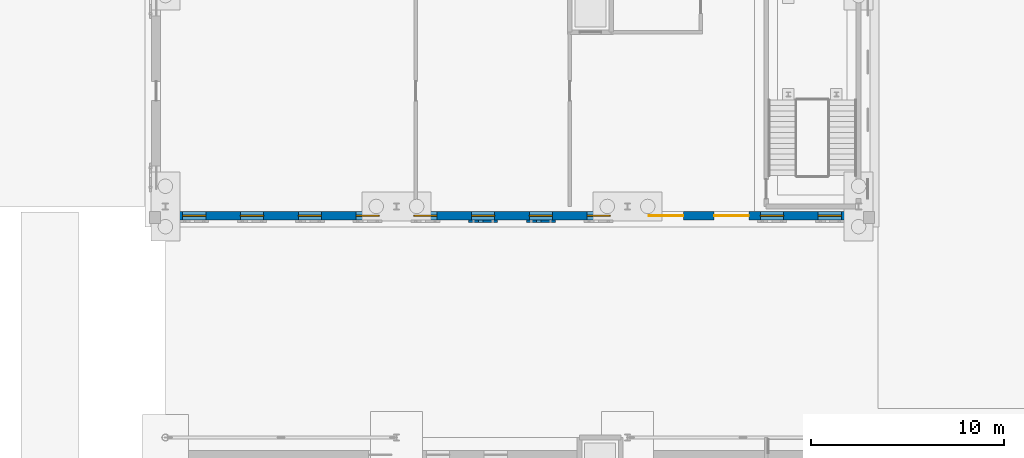
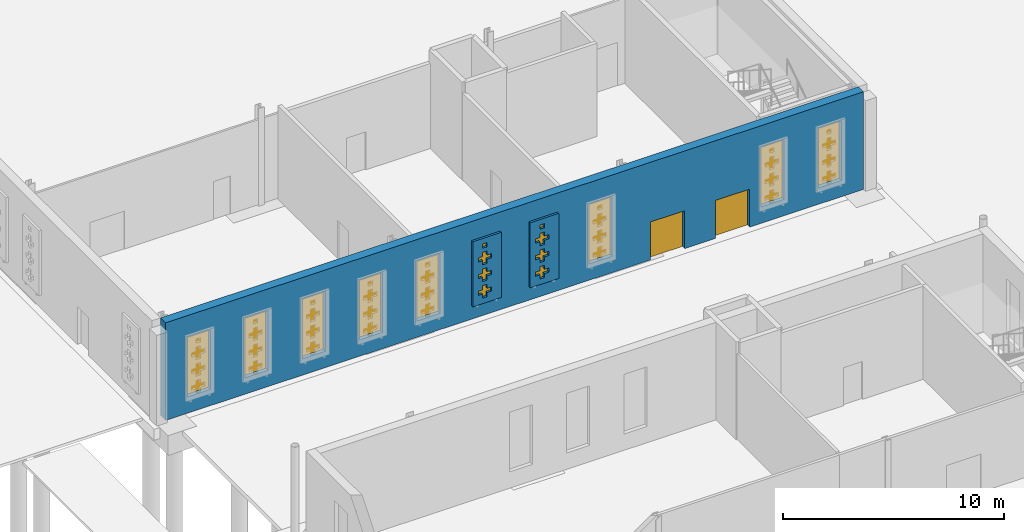
# One storey, part 80 of 132: 10 windows, 3 walls, 2 doors, 44 openings.
"""IFC4 building model written with IfcOpenShell, lengths in metres."""

from ifc_helpers import new_model, si_unit, direction, frame, frame_2d, origin, place, context, subcontext, project, spatial, rectangle, extrude, material, layer, layer_set, type_object, element, fill, save


model = new_model("IFC4")

# Units and contexts
model_context = context("Model", 3, precision=1e-05, world=origin(), true_north=direction((0.0, 1.0)))
body_context = subcontext(model_context, "Body", "Model", "MODEL_VIEW")
ifc_project = project(units=[si_unit("LENGTHUNIT", "METRE"), si_unit("AREAUNIT", "SQUARE_METRE"), si_unit("VOLUMEUNIT", "CUBIC_METRE"), si_unit("PLANEANGLEUNIT", "RADIAN"), si_unit("MASSUNIT", "GRAM", prefix="KILO")], contexts=[model_context])

# Site, building, storey
site_placement = place(None, origin())
site = spatial("IfcSite", under=ifc_project, at=site_placement, CompositionType="ELEMENT")
building_placement = place(site_placement, origin())
building = spatial("IfcBuilding", under=site, at=building_placement, Name="Ravi Spectrum Wholesale Market", CompositionType="ELEMENT")
storey_placement = place(building_placement, origin())
storey = spatial("IfcBuildingStorey", under=building, at=storey_placement, Name="L00", CompositionType="ELEMENT", Elevation=0.0)

# Wall, openings, doors, windows
ifc_material_1 = material(Name="Clinker brickwork", Category="masonry")
ifc_layer_1 = layer(ifc_material_1, 0.4599609375)
ifc_layer_set_1 = layer_set([ifc_layer_1], Name="Clinker brickwork")
wall_type_1 = type_object("IfcWallType", Name="Brick 460 pier wall", PredefinedType="SOLIDWALL", material=ifc_layer_set_1)
wall_1_placement = place(storey_placement, frame((161.75, 197.52001953125, 0.0), z_axis=(0.0, 0.0, 1.0), x_axis=(1.0, 0.0, 0.0)))
wall_1 = element("IfcWall", 1, at=wall_1_placement, inside=storey, type_object=wall_type_1, Name="AU-WL-L00-009", PredefinedType="SOLIDWALL", context=body_context, shape_type="SweptSolid", body=[
    extrude(rectangle(XDim=36.5, YDim=0.4599609375, at=frame_2d((18.25, 0.0))), origin(), (0.0, 0.0, 1.0), 5.39990234375),
])
opening_1_placement = place(wall_1_placement, frame((27.150146484375, 0.0, 0.0), z_axis=(0.0, 0.0, 1.0), x_axis=(-1.0, 0.0, 0.0)))
opening_1 = element("IfcOpeningElement", 2, at=opening_1_placement, cuts=wall_1, Name="Opening D409", PredefinedType="OPENING", context=body_context, shape_type="SweptSolid", body=[
    extrude(rectangle(XDim=1.800048828125, YDim=2.10009765625, at=frame_2d((0.89990234375, 1.050048828125))), frame((0.0, 0.239990234375, 0.0), z_axis=(0.0, -1.0, 0.0), x_axis=(1.0, 0.0, 0.0)), (0.0, 0.0, 1.0), 0.47998046875),
])
opening_2_placement = place(wall_1_placement, frame((30.550048828125, 0.0, 0.0), z_axis=(0.0, 0.0, 1.0), x_axis=(-1.0, 0.0, 0.0)))
opening_2 = element("IfcOpeningElement", 3, at=opening_2_placement, cuts=wall_1, Name="Opening D410", PredefinedType="OPENING", context=body_context, shape_type="SweptSolid", body=[
    extrude(rectangle(XDim=1.800048828125, YDim=2.10009765625, at=frame_2d((0.89990234375, 1.050048828125))), frame((0.0, 0.239990234375, 0.0), z_axis=(0.0, -1.0, 0.0), x_axis=(1.0, 0.0, 0.0)), (0.0, 0.0, 1.0), 0.47998046875),
])
opening_3_placement = place(wall_1_placement, frame((1.14990234375, 0.0, 0.89990234375)))
opening_3 = element("IfcOpeningElement", 4, at=opening_3_placement, cuts=wall_1, Name="Opening W2400", PredefinedType="OPENING", context=body_context, shape_type="SweptSolid", body=[
    extrude(rectangle(XDim=1.199951171875, YDim=3.300048828125, at=frame_2d((0.60009765625, 1.64990234375))), frame((0.0, 0.239990234375, 0.0), z_axis=(0.0, -1.0, 0.0), x_axis=(1.0, 0.0, 0.0)), (0.0, 0.0, 1.0), 0.47998046875),
])
opening_4_placement = place(wall_1_placement, frame((4.14990234375, 0.0, 0.89990234375)))
opening_4 = element("IfcOpeningElement", 5, at=opening_4_placement, cuts=wall_1, Name="Opening W2401", PredefinedType="OPENING", context=body_context, shape_type="SweptSolid", body=[
    extrude(rectangle(XDim=1.199951171875, YDim=3.300048828125, at=frame_2d((0.60009765625, 1.64990234375))), frame((0.0, 0.239990234375, 0.0), z_axis=(0.0, -1.0, 0.0), x_axis=(1.0, 0.0, 0.0)), (0.0, 0.0, 1.0), 0.47998046875),
])
opening_5_placement = place(wall_1_placement, frame((7.14990234375, 0.0, 0.89990234375)))
opening_5 = element("IfcOpeningElement", 6, at=opening_5_placement, cuts=wall_1, Name="Opening W2402", PredefinedType="OPENING", context=body_context, shape_type="SweptSolid", body=[
    extrude(rectangle(XDim=1.199951171875, YDim=3.300048828125, at=frame_2d((0.60009765625, 1.64990234375))), frame((0.0, 0.239990234375, 0.0), z_axis=(0.0, -1.0, 0.0), x_axis=(1.0, 0.0, 0.0)), (0.0, 0.0, 1.0), 0.47998046875),
])
opening_6_placement = place(wall_1_placement, frame((10.14990234375, 0.0, 0.89990234375)))
opening_6 = element("IfcOpeningElement", 7, at=opening_6_placement, cuts=wall_1, Name="Opening W2403", PredefinedType="OPENING", context=body_context, shape_type="SweptSolid", body=[
    extrude(rectangle(XDim=1.199951171875, YDim=3.300048828125, at=frame_2d((0.60009765625, 1.64990234375))), frame((0.0, 0.239990234375, 0.0), z_axis=(0.0, -1.0, 0.0), x_axis=(1.0, 0.0, 0.0)), (0.0, 0.0, 1.0), 0.47998046875),
])
opening_7_placement = place(wall_1_placement, frame((13.14990234375, 0.0, 0.89990234375)))
opening_7 = element("IfcOpeningElement", 8, at=opening_7_placement, cuts=wall_1, Name="Opening W2404", PredefinedType="OPENING", context=body_context, shape_type="SweptSolid", body=[
    extrude(rectangle(XDim=1.199951171875, YDim=3.300048828125, at=frame_2d((0.60009765625, 1.64990234375))), frame((0.0, 0.239990234375, 0.0), z_axis=(0.0, -1.0, 0.0), x_axis=(1.0, 0.0, 0.0)), (0.0, 0.0, 1.0), 0.47998046875),
])
opening_8_placement = place(wall_1_placement, frame((16.14990234375, 0.0, 0.89990234375)))
opening_8 = element("IfcOpeningElement", 9, at=opening_8_placement, cuts=wall_1, Name="Opening W2405", PredefinedType="OPENING", context=body_context, shape_type="SweptSolid", body=[
    extrude(rectangle(XDim=1.199951171875, YDim=3.300048828125, at=frame_2d((0.60009765625, 1.64990234375))), frame((0.0, 0.239990234375, 0.0), z_axis=(0.0, -1.0, 0.0), x_axis=(1.0, 0.0, 0.0)), (0.0, 0.0, 1.0), 0.47998046875),
])
opening_9_placement = place(wall_1_placement, frame((19.14990234375, 0.0, 0.89990234375)))
opening_9 = element("IfcOpeningElement", 10, at=opening_9_placement, cuts=wall_1, Name="Opening W2406", PredefinedType="OPENING", context=body_context, shape_type="SweptSolid", body=[
    extrude(rectangle(XDim=1.199951171875, YDim=3.300048828125, at=frame_2d((0.60009765625, 1.64990234375))), frame((0.0, 0.239990234375, 0.0), z_axis=(0.0, -1.0, 0.0), x_axis=(1.0, 0.0, 0.0)), (0.0, 0.0, 1.0), 0.47998046875),
])
opening_10_placement = place(wall_1_placement, frame((22.14990234375, 0.0, 0.89990234375)))
opening_10 = element("IfcOpeningElement", 11, at=opening_10_placement, cuts=wall_1, Name="Opening W2407", PredefinedType="OPENING", context=body_context, shape_type="SweptSolid", body=[
    extrude(rectangle(XDim=1.199951171875, YDim=3.300048828125, at=frame_2d((0.60009765625, 1.64990234375))), frame((0.0, 0.239990234375, 0.0), z_axis=(0.0, -1.0, 0.0), x_axis=(1.0, 0.0, 0.0)), (0.0, 0.0, 1.0), 0.47998046875),
])
opening_11_placement = place(wall_1_placement, frame((31.14990234375, 0.0, 0.89990234375)))
opening_11 = element("IfcOpeningElement", 12, at=opening_11_placement, cuts=wall_1, Name="Opening W2408", PredefinedType="OPENING", context=body_context, shape_type="SweptSolid", body=[
    extrude(rectangle(XDim=1.199951171875, YDim=3.300048828125, at=frame_2d((0.60009765625, 1.64990234375))), frame((0.0, 0.239990234375, 0.0), z_axis=(0.0, -1.0, 0.0), x_axis=(1.0, 0.0, 0.0)), (0.0, 0.0, 1.0), 0.47998046875),
])
opening_12_placement = place(wall_1_placement, frame((34.14990234375, 0.0, 0.89990234375)))
opening_12 = element("IfcOpeningElement", 13, at=opening_12_placement, cuts=wall_1, Name="Opening W2409", PredefinedType="OPENING", context=body_context, shape_type="SweptSolid", body=[
    extrude(rectangle(XDim=1.199951171875, YDim=3.300048828125, at=frame_2d((0.60009765625, 1.64990234375))), frame((0.0, 0.239990234375, 0.0), z_axis=(0.0, -1.0, 0.0), x_axis=(1.0, 0.0, 0.0)), (0.0, 0.0, 1.0), 0.47998046875),
])
ifc_material_2 = material(Name="Steel door", Category="steel")
door_type = type_object("IfcDoorType", Name="Double leaf door 1800 x 2100", OperationType="DOUBLE_DOOR_SINGLE_SWING", PredefinedType="DOOR", material=ifc_material_2)
door_1_placement = place(opening_1_placement, origin())
door_1 = element("IfcDoor", 14, at=door_1_placement, inside=storey, type_object=door_type, Name="Door D409", OperationType="DOUBLE_DOOR_SINGLE_SWING", OverallHeight=2.10009765625, OverallWidth=1.800048828125, PredefinedType="DOOR", context=body_context, shape_type="SweptSolid", body=[
    extrude(rectangle(XDim=1.800048828125, YDim=2.10009765625, at=frame_2d((0.89990234375, 1.050048828125))), frame((0.0, 0.02490234375, 0.0), z_axis=(0.0, -1.0, 0.0), x_axis=(1.0, 0.0, 0.0)), (0.0, 0.0, 1.0), 0.050048828125),
])
fill(opening_1, door_1)
door_2_placement = place(opening_2_placement, origin())
door_2 = element("IfcDoor", 15, at=door_2_placement, inside=storey, type_object=door_type, Name="Door D410", OperationType="DOUBLE_DOOR_SINGLE_SWING", OverallHeight=2.10009765625, OverallWidth=1.800048828125, PredefinedType="DOOR", context=body_context, shape_type="SweptSolid", body=[
    extrude(rectangle(XDim=1.800048828125, YDim=2.10009765625, at=frame_2d((0.89990234375, 1.050048828125))), frame((0.0, 0.02490234375, 0.0), z_axis=(0.0, -1.0, 0.0), x_axis=(1.0, 0.0, 0.0)), (0.0, 0.0, 1.0), 0.050048828125),
])
fill(opening_2, door_2)
ifc_material_3 = material(Name="Steel window frame", Category="steel")
window_type = type_object("IfcWindowType", Name="Tall pier window with jali 1200 x 3300", PartitioningType="SINGLE_PANEL", PredefinedType="WINDOW", material=ifc_material_3)
window_1_placement = place(opening_3_placement, origin())
window_1 = element("IfcWindow", 16, at=window_1_placement, inside=storey, type_object=window_type, Name="Window W2400", OverallHeight=3.300048828125, OverallWidth=1.199951171875, PartitioningType="SINGLE_PANEL", PredefinedType="WINDOW", context=body_context, shape_type="SweptSolid", body=[
    extrude(rectangle(XDim=1.199951171875, YDim=3.300048828125, at=frame_2d((0.60009765625, 1.64990234375))), frame((0.0, 0.030029296875, 0.0), z_axis=(0.0, -1.0, 0.0), x_axis=(1.0, 0.0, 0.0)), (0.0, 0.0, 1.0), 0.06005859375),
])
fill(opening_3, window_1)
window_2_placement = place(opening_4_placement, origin())
window_2 = element("IfcWindow", 17, at=window_2_placement, inside=storey, type_object=window_type, Name="Window W2401", OverallHeight=3.300048828125, OverallWidth=1.199951171875, PartitioningType="SINGLE_PANEL", PredefinedType="WINDOW", context=body_context, shape_type="SweptSolid", body=[
    extrude(rectangle(XDim=1.199951171875, YDim=3.300048828125, at=frame_2d((0.60009765625, 1.64990234375))), frame((0.0, 0.030029296875, 0.0), z_axis=(0.0, -1.0, 0.0), x_axis=(1.0, 0.0, 0.0)), (0.0, 0.0, 1.0), 0.06005859375),
])
fill(opening_4, window_2)
window_3_placement = place(opening_5_placement, origin())
window_3 = element("IfcWindow", 18, at=window_3_placement, inside=storey, type_object=window_type, Name="Window W2402", OverallHeight=3.300048828125, OverallWidth=1.199951171875, PartitioningType="SINGLE_PANEL", PredefinedType="WINDOW", context=body_context, shape_type="SweptSolid", body=[
    extrude(rectangle(XDim=1.199951171875, YDim=3.300048828125, at=frame_2d((0.60009765625, 1.64990234375))), frame((0.0, 0.030029296875, 0.0), z_axis=(0.0, -1.0, 0.0), x_axis=(1.0, 0.0, 0.0)), (0.0, 0.0, 1.0), 0.06005859375),
])
fill(opening_5, window_3)
window_4_placement = place(opening_6_placement, origin())
window_4 = element("IfcWindow", 19, at=window_4_placement, inside=storey, type_object=window_type, Name="Window W2403", OverallHeight=3.300048828125, OverallWidth=1.199951171875, PartitioningType="SINGLE_PANEL", PredefinedType="WINDOW", context=body_context, shape_type="SweptSolid", body=[
    extrude(rectangle(XDim=1.199951171875, YDim=3.300048828125, at=frame_2d((0.60009765625, 1.64990234375))), frame((0.0, 0.030029296875, 0.0), z_axis=(0.0, -1.0, 0.0), x_axis=(1.0, 0.0, 0.0)), (0.0, 0.0, 1.0), 0.06005859375),
])
fill(opening_6, window_4)
window_5_placement = place(opening_7_placement, origin())
window_5 = element("IfcWindow", 20, at=window_5_placement, inside=storey, type_object=window_type, Name="Window W2404", OverallHeight=3.300048828125, OverallWidth=1.199951171875, PartitioningType="SINGLE_PANEL", PredefinedType="WINDOW", context=body_context, shape_type="SweptSolid", body=[
    extrude(rectangle(XDim=1.199951171875, YDim=3.300048828125, at=frame_2d((0.60009765625, 1.64990234375))), frame((0.0, 0.030029296875, 0.0), z_axis=(0.0, -1.0, 0.0), x_axis=(1.0, 0.0, 0.0)), (0.0, 0.0, 1.0), 0.06005859375),
])
fill(opening_7, window_5)
window_6_placement = place(opening_8_placement, origin())
window_6 = element("IfcWindow", 21, at=window_6_placement, inside=storey, type_object=window_type, Name="Window W2405", OverallHeight=3.300048828125, OverallWidth=1.199951171875, PartitioningType="SINGLE_PANEL", PredefinedType="WINDOW", context=body_context, shape_type="SweptSolid", body=[
    extrude(rectangle(XDim=1.199951171875, YDim=3.300048828125, at=frame_2d((0.60009765625, 1.64990234375))), frame((0.0, 0.030029296875, 0.0), z_axis=(0.0, -1.0, 0.0), x_axis=(1.0, 0.0, 0.0)), (0.0, 0.0, 1.0), 0.06005859375),
])
fill(opening_8, window_6)
window_7_placement = place(opening_9_placement, origin())
window_7 = element("IfcWindow", 22, at=window_7_placement, inside=storey, type_object=window_type, Name="Window W2406", OverallHeight=3.300048828125, OverallWidth=1.199951171875, PartitioningType="SINGLE_PANEL", PredefinedType="WINDOW", context=body_context, shape_type="SweptSolid", body=[
    extrude(rectangle(XDim=1.199951171875, YDim=3.300048828125, at=frame_2d((0.60009765625, 1.64990234375))), frame((0.0, 0.030029296875, 0.0), z_axis=(0.0, -1.0, 0.0), x_axis=(1.0, 0.0, 0.0)), (0.0, 0.0, 1.0), 0.06005859375),
])
fill(opening_9, window_7)
window_8_placement = place(opening_10_placement, origin())
window_8 = element("IfcWindow", 23, at=window_8_placement, inside=storey, type_object=window_type, Name="Window W2407", OverallHeight=3.300048828125, OverallWidth=1.199951171875, PartitioningType="SINGLE_PANEL", PredefinedType="WINDOW", context=body_context, shape_type="SweptSolid", body=[
    extrude(rectangle(XDim=1.199951171875, YDim=3.300048828125, at=frame_2d((0.60009765625, 1.64990234375))), frame((0.0, 0.030029296875, 0.0), z_axis=(0.0, -1.0, 0.0), x_axis=(1.0, 0.0, 0.0)), (0.0, 0.0, 1.0), 0.06005859375),
])
fill(opening_10, window_8)
window_9_placement = place(opening_11_placement, origin())
window_9 = element("IfcWindow", 24, at=window_9_placement, inside=storey, type_object=window_type, Name="Window W2408", OverallHeight=3.300048828125, OverallWidth=1.199951171875, PartitioningType="SINGLE_PANEL", PredefinedType="WINDOW", context=body_context, shape_type="SweptSolid", body=[
    extrude(rectangle(XDim=1.199951171875, YDim=3.300048828125, at=frame_2d((0.60009765625, 1.64990234375))), frame((0.0, 0.030029296875, 0.0), z_axis=(0.0, -1.0, 0.0), x_axis=(1.0, 0.0, 0.0)), (0.0, 0.0, 1.0), 0.06005859375),
])
fill(opening_11, window_9)
window_10_placement = place(opening_12_placement, origin())
window_10 = element("IfcWindow", 25, at=window_10_placement, inside=storey, type_object=window_type, Name="Window W2409", OverallHeight=3.300048828125, OverallWidth=1.199951171875, PartitioningType="SINGLE_PANEL", PredefinedType="WINDOW", context=body_context, shape_type="SweptSolid", body=[
    extrude(rectangle(XDim=1.199951171875, YDim=3.300048828125, at=frame_2d((0.60009765625, 1.64990234375))), frame((0.0, 0.030029296875, 0.0), z_axis=(0.0, -1.0, 0.0), x_axis=(1.0, 0.0, 0.0)), (0.0, 0.0, 1.0), 0.06005859375),
])
fill(opening_12, window_10)

# Wall, openings
ifc_material_4 = material(Name="Facing brickwork", Category="masonry")
ifc_layer_2 = layer(ifc_material_4, 0.114990234375)
ifc_layer_set_2 = layer_set([ifc_layer_2], Name="Facing brickwork")
wall_type_2 = type_object("IfcWallType", Name="Perforated brick screen 115", PredefinedType="SOLIDWALL", material=ifc_layer_set_2)
wall_2_placement = place(storey_placement, frame((177.75, 197.232421875, 0.75), z_axis=(0.0, 0.0, 1.0), x_axis=(1.0, 0.0, 0.0)))
wall_2 = element("IfcWall", 26, at=wall_2_placement, inside=storey, type_object=wall_type_2, Name="AU-WL-L00-015", PredefinedType="SOLIDWALL", context=body_context, shape_type="SweptSolid", body=[
    extrude(rectangle(XDim=1.5, YDim=0.114990234375, at=frame_2d((0.75, 0.0))), origin(), (0.0, 0.0, 1.0), 3.60009765625),
])
opening_13_placement = place(wall_2_placement, frame((0.52001953125, 0.0, 0.304931640625)))
element("IfcOpeningElement", 27, at=opening_13_placement, cuts=wall_2, Name="Opening AU-OP-L00-081", PredefinedType="OPENING", context=body_context, shape_type="SweptSolid", body=[
    extrude(rectangle(XDim=0.22998046875, YDim=0.22998046875, at=frame_2d((0.114990234375, 0.114990234375))), frame((0.0, 0.0673828125, 0.0), z_axis=(0.0, -1.0, 0.0), x_axis=(1.0, 0.0, 0.0)), (0.0, 0.0, 1.0), 0.135009765625),
])
opening_14_placement = place(wall_2_placement, frame((0.2900390625, 0.0, 0.534912109375)))
element("IfcOpeningElement", 28, at=opening_14_placement, cuts=wall_2, Name="Opening AU-OP-L00-082", PredefinedType="OPENING", context=body_context, shape_type="SweptSolid", body=[
    extrude(rectangle(XDim=0.22998046875, YDim=0.22998046875, at=frame_2d((0.114990234375, 0.114990234375))), frame((0.0, 0.0673828125, 0.0), z_axis=(0.0, -1.0, 0.0), x_axis=(1.0, 0.0, 0.0)), (0.0, 0.0, 1.0), 0.135009765625),
])
opening_15_placement = place(wall_2_placement, frame((0.52001953125, 0.0, 0.534912109375)))
element("IfcOpeningElement", 29, at=opening_15_placement, cuts=wall_2, Name="Opening AU-OP-L00-083", PredefinedType="OPENING", context=body_context, shape_type="SweptSolid", body=[
    extrude(rectangle(XDim=0.22998046875, YDim=0.22998046875, at=frame_2d((0.114990234375, 0.114990234375))), frame((0.0, 0.0673828125, 0.0), z_axis=(0.0, -1.0, 0.0), x_axis=(1.0, 0.0, 0.0)), (0.0, 0.0, 1.0), 0.135009765625),
])
opening_16_placement = place(wall_2_placement, frame((0.75, 0.0, 0.534912109375)))
element("IfcOpeningElement", 30, at=opening_16_placement, cuts=wall_2, Name="Opening AU-OP-L00-084", PredefinedType="OPENING", context=body_context, shape_type="SweptSolid", body=[
    extrude(rectangle(XDim=0.22998046875, YDim=0.22998046875, at=frame_2d((0.114990234375, 0.114990234375))), frame((0.0, 0.0673828125, 0.0), z_axis=(0.0, -1.0, 0.0), x_axis=(1.0, 0.0, 0.0)), (0.0, 0.0, 1.0), 0.135009765625),
])
opening_17_placement = place(wall_2_placement, frame((0.52001953125, 0.0, 0.764892578125)))
element("IfcOpeningElement", 31, at=opening_17_placement, cuts=wall_2, Name="Opening AU-OP-L00-085", PredefinedType="OPENING", context=body_context, shape_type="SweptSolid", body=[
    extrude(rectangle(XDim=0.22998046875, YDim=0.22998046875, at=frame_2d((0.114990234375, 0.114990234375))), frame((0.0, 0.0673828125, 0.0), z_axis=(0.0, -1.0, 0.0), x_axis=(1.0, 0.0, 0.0)), (0.0, 0.0, 1.0), 0.135009765625),
])
opening_18_placement = place(wall_2_placement, frame((0.52001953125, 0.0, 1.22509765625)))
element("IfcOpeningElement", 32, at=opening_18_placement, cuts=wall_2, Name="Opening AU-OP-L00-086", PredefinedType="OPENING", context=body_context, shape_type="SweptSolid", body=[
    extrude(rectangle(XDim=0.22998046875, YDim=0.22998046875, at=frame_2d((0.114990234375, 0.114990234375))), frame((0.0, 0.0673828125, 0.0), z_axis=(0.0, -1.0, 0.0), x_axis=(1.0, 0.0, 0.0)), (0.0, 0.0, 1.0), 0.135009765625),
])
opening_19_placement = place(wall_2_placement, frame((0.2900390625, 0.0, 1.455078125)))
element("IfcOpeningElement", 33, at=opening_19_placement, cuts=wall_2, Name="Opening AU-OP-L00-087", PredefinedType="OPENING", context=body_context, shape_type="SweptSolid", body=[
    extrude(rectangle(XDim=0.22998046875, YDim=0.22998046875, at=frame_2d((0.114990234375, 0.114990234375))), frame((0.0, 0.0673828125, 0.0), z_axis=(0.0, -1.0, 0.0), x_axis=(1.0, 0.0, 0.0)), (0.0, 0.0, 1.0), 0.135009765625),
])
opening_20_placement = place(wall_2_placement, frame((0.52001953125, 0.0, 1.455078125)))
element("IfcOpeningElement", 34, at=opening_20_placement, cuts=wall_2, Name="Opening AU-OP-L00-088", PredefinedType="OPENING", context=body_context, shape_type="SweptSolid", body=[
    extrude(rectangle(XDim=0.22998046875, YDim=0.22998046875, at=frame_2d((0.114990234375, 0.114990234375))), frame((0.0, 0.0673828125, 0.0), z_axis=(0.0, -1.0, 0.0), x_axis=(1.0, 0.0, 0.0)), (0.0, 0.0, 1.0), 0.135009765625),
])
opening_21_placement = place(wall_2_placement, frame((0.75, 0.0, 1.455078125)))
element("IfcOpeningElement", 35, at=opening_21_placement, cuts=wall_2, Name="Opening AU-OP-L00-089", PredefinedType="OPENING", context=body_context, shape_type="SweptSolid", body=[
    extrude(rectangle(XDim=0.22998046875, YDim=0.22998046875, at=frame_2d((0.114990234375, 0.114990234375))), frame((0.0, 0.0673828125, 0.0), z_axis=(0.0, -1.0, 0.0), x_axis=(1.0, 0.0, 0.0)), (0.0, 0.0, 1.0), 0.135009765625),
])
opening_22_placement = place(wall_2_placement, frame((0.52001953125, 0.0, 1.68505859375)))
element("IfcOpeningElement", 36, at=opening_22_placement, cuts=wall_2, Name="Opening AU-OP-L00-090", PredefinedType="OPENING", context=body_context, shape_type="SweptSolid", body=[
    extrude(rectangle(XDim=0.22998046875, YDim=0.22998046875, at=frame_2d((0.114990234375, 0.114990234375))), frame((0.0, 0.0673828125, 0.0), z_axis=(0.0, -1.0, 0.0), x_axis=(1.0, 0.0, 0.0)), (0.0, 0.0, 1.0), 0.135009765625),
])
opening_23_placement = place(wall_2_placement, frame((0.52001953125, 0.0, 2.14501953125)))
element("IfcOpeningElement", 37, at=opening_23_placement, cuts=wall_2, Name="Opening AU-OP-L00-091", PredefinedType="OPENING", context=body_context, shape_type="SweptSolid", body=[
    extrude(rectangle(XDim=0.22998046875, YDim=0.22998046875, at=frame_2d((0.114990234375, 0.114990234375))), frame((0.0, 0.0673828125, 0.0), z_axis=(0.0, -1.0, 0.0), x_axis=(1.0, 0.0, 0.0)), (0.0, 0.0, 1.0), 0.135009765625),
])
opening_24_placement = place(wall_2_placement, frame((0.2900390625, 0.0, 2.375)))
element("IfcOpeningElement", 38, at=opening_24_placement, cuts=wall_2, Name="Opening AU-OP-L00-092", PredefinedType="OPENING", context=body_context, shape_type="SweptSolid", body=[
    extrude(rectangle(XDim=0.22998046875, YDim=0.22998046875, at=frame_2d((0.114990234375, 0.114990234375))), frame((0.0, 0.0673828125, 0.0), z_axis=(0.0, -1.0, 0.0), x_axis=(1.0, 0.0, 0.0)), (0.0, 0.0, 1.0), 0.135009765625),
])
opening_25_placement = place(wall_2_placement, frame((0.52001953125, 0.0, 2.375)))
element("IfcOpeningElement", 39, at=opening_25_placement, cuts=wall_2, Name="Opening AU-OP-L00-093", PredefinedType="OPENING", context=body_context, shape_type="SweptSolid", body=[
    extrude(rectangle(XDim=0.22998046875, YDim=0.22998046875, at=frame_2d((0.114990234375, 0.114990234375))), frame((0.0, 0.0673828125, 0.0), z_axis=(0.0, -1.0, 0.0), x_axis=(1.0, 0.0, 0.0)), (0.0, 0.0, 1.0), 0.135009765625),
])
opening_26_placement = place(wall_2_placement, frame((0.75, 0.0, 2.375)))
element("IfcOpeningElement", 40, at=opening_26_placement, cuts=wall_2, Name="Opening AU-OP-L00-094", PredefinedType="OPENING", context=body_context, shape_type="SweptSolid", body=[
    extrude(rectangle(XDim=0.22998046875, YDim=0.22998046875, at=frame_2d((0.114990234375, 0.114990234375))), frame((0.0, 0.0673828125, 0.0), z_axis=(0.0, -1.0, 0.0), x_axis=(1.0, 0.0, 0.0)), (0.0, 0.0, 1.0), 0.135009765625),
])
opening_27_placement = place(wall_2_placement, frame((0.52001953125, 0.0, 2.60498046875)))
element("IfcOpeningElement", 41, at=opening_27_placement, cuts=wall_2, Name="Opening AU-OP-L00-095", PredefinedType="OPENING", context=body_context, shape_type="SweptSolid", body=[
    extrude(rectangle(XDim=0.22998046875, YDim=0.22998046875, at=frame_2d((0.114990234375, 0.114990234375))), frame((0.0, 0.0673828125, 0.0), z_axis=(0.0, -1.0, 0.0), x_axis=(1.0, 0.0, 0.0)), (0.0, 0.0, 1.0), 0.135009765625),
])
opening_28_placement = place(wall_2_placement, frame((0.52001953125, 0.0, 3.06494140625)))
element("IfcOpeningElement", 42, at=opening_28_placement, cuts=wall_2, Name="Opening AU-OP-L00-096", PredefinedType="OPENING", context=body_context, shape_type="SweptSolid", body=[
    extrude(rectangle(XDim=0.22998046875, YDim=0.22998046875, at=frame_2d((0.114990234375, 0.114990234375))), frame((0.0, 0.0673828125, 0.0), z_axis=(0.0, -1.0, 0.0), x_axis=(1.0, 0.0, 0.0)), (0.0, 0.0, 1.0), 0.135009765625),
])

wall_3_placement = place(storey_placement, frame((180.75, 197.232421875, 0.75), z_axis=(0.0, 0.0, 1.0), x_axis=(1.0, 0.0, 0.0)))
wall_3 = element("IfcWall", 43, at=wall_3_placement, inside=storey, type_object=wall_type_2, Name="AU-WL-L00-016", PredefinedType="SOLIDWALL", context=body_context, shape_type="SweptSolid", body=[
    extrude(rectangle(XDim=1.5, YDim=0.114990234375, at=frame_2d((0.75, 0.0))), origin(), (0.0, 0.0, 1.0), 3.60009765625),
])
opening_29_placement = place(wall_3_placement, frame((0.52001953125, 0.0, 0.304931640625)))
element("IfcOpeningElement", 44, at=opening_29_placement, cuts=wall_3, Name="Opening AU-OP-L00-097", PredefinedType="OPENING", context=body_context, shape_type="SweptSolid", body=[
    extrude(rectangle(XDim=0.22998046875, YDim=0.22998046875, at=frame_2d((0.114990234375, 0.114990234375))), frame((0.0, 0.0673828125, 0.0), z_axis=(0.0, -1.0, 0.0), x_axis=(1.0, 0.0, 0.0)), (0.0, 0.0, 1.0), 0.135009765625),
])
opening_30_placement = place(wall_3_placement, frame((0.2900390625, 0.0, 0.534912109375)))
element("IfcOpeningElement", 45, at=opening_30_placement, cuts=wall_3, Name="Opening AU-OP-L00-098", PredefinedType="OPENING", context=body_context, shape_type="SweptSolid", body=[
    extrude(rectangle(XDim=0.22998046875, YDim=0.22998046875, at=frame_2d((0.114990234375, 0.114990234375))), frame((0.0, 0.0673828125, 0.0), z_axis=(0.0, -1.0, 0.0), x_axis=(1.0, 0.0, 0.0)), (0.0, 0.0, 1.0), 0.135009765625),
])
opening_31_placement = place(wall_3_placement, frame((0.52001953125, 0.0, 0.534912109375)))
element("IfcOpeningElement", 46, at=opening_31_placement, cuts=wall_3, Name="Opening AU-OP-L00-099", PredefinedType="OPENING", context=body_context, shape_type="SweptSolid", body=[
    extrude(rectangle(XDim=0.22998046875, YDim=0.22998046875, at=frame_2d((0.114990234375, 0.114990234375))), frame((0.0, 0.0673828125, 0.0), z_axis=(0.0, -1.0, 0.0), x_axis=(1.0, 0.0, 0.0)), (0.0, 0.0, 1.0), 0.135009765625),
])
opening_32_placement = place(wall_3_placement, frame((0.75, 0.0, 0.534912109375)))
element("IfcOpeningElement", 47, at=opening_32_placement, cuts=wall_3, Name="Opening AU-OP-L00-100", PredefinedType="OPENING", context=body_context, shape_type="SweptSolid", body=[
    extrude(rectangle(XDim=0.22998046875, YDim=0.22998046875, at=frame_2d((0.114990234375, 0.114990234375))), frame((0.0, 0.0673828125, 0.0), z_axis=(0.0, -1.0, 0.0), x_axis=(1.0, 0.0, 0.0)), (0.0, 0.0, 1.0), 0.135009765625),
])
opening_33_placement = place(wall_3_placement, frame((0.52001953125, 0.0, 0.764892578125)))
element("IfcOpeningElement", 48, at=opening_33_placement, cuts=wall_3, Name="Opening AU-OP-L00-101", PredefinedType="OPENING", context=body_context, shape_type="SweptSolid", body=[
    extrude(rectangle(XDim=0.22998046875, YDim=0.22998046875, at=frame_2d((0.114990234375, 0.114990234375))), frame((0.0, 0.0673828125, 0.0), z_axis=(0.0, -1.0, 0.0), x_axis=(1.0, 0.0, 0.0)), (0.0, 0.0, 1.0), 0.135009765625),
])
opening_34_placement = place(wall_3_placement, frame((0.52001953125, 0.0, 1.22509765625)))
element("IfcOpeningElement", 49, at=opening_34_placement, cuts=wall_3, Name="Opening AU-OP-L00-102", PredefinedType="OPENING", context=body_context, shape_type="SweptSolid", body=[
    extrude(rectangle(XDim=0.22998046875, YDim=0.22998046875, at=frame_2d((0.114990234375, 0.114990234375))), frame((0.0, 0.0673828125, 0.0), z_axis=(0.0, -1.0, 0.0), x_axis=(1.0, 0.0, 0.0)), (0.0, 0.0, 1.0), 0.135009765625),
])
opening_35_placement = place(wall_3_placement, frame((0.2900390625, 0.0, 1.455078125)))
element("IfcOpeningElement", 50, at=opening_35_placement, cuts=wall_3, Name="Opening AU-OP-L00-103", PredefinedType="OPENING", context=body_context, shape_type="SweptSolid", body=[
    extrude(rectangle(XDim=0.22998046875, YDim=0.22998046875, at=frame_2d((0.114990234375, 0.114990234375))), frame((0.0, 0.0673828125, 0.0), z_axis=(0.0, -1.0, 0.0), x_axis=(1.0, 0.0, 0.0)), (0.0, 0.0, 1.0), 0.135009765625),
])
opening_36_placement = place(wall_3_placement, frame((0.52001953125, 0.0, 1.455078125)))
element("IfcOpeningElement", 51, at=opening_36_placement, cuts=wall_3, Name="Opening AU-OP-L00-104", PredefinedType="OPENING", context=body_context, shape_type="SweptSolid", body=[
    extrude(rectangle(XDim=0.22998046875, YDim=0.22998046875, at=frame_2d((0.114990234375, 0.114990234375))), frame((0.0, 0.0673828125, 0.0), z_axis=(0.0, -1.0, 0.0), x_axis=(1.0, 0.0, 0.0)), (0.0, 0.0, 1.0), 0.135009765625),
])
opening_37_placement = place(wall_3_placement, frame((0.75, 0.0, 1.455078125)))
element("IfcOpeningElement", 52, at=opening_37_placement, cuts=wall_3, Name="Opening AU-OP-L00-105", PredefinedType="OPENING", context=body_context, shape_type="SweptSolid", body=[
    extrude(rectangle(XDim=0.22998046875, YDim=0.22998046875, at=frame_2d((0.114990234375, 0.114990234375))), frame((0.0, 0.0673828125, 0.0), z_axis=(0.0, -1.0, 0.0), x_axis=(1.0, 0.0, 0.0)), (0.0, 0.0, 1.0), 0.135009765625),
])
opening_38_placement = place(wall_3_placement, frame((0.52001953125, 0.0, 1.68505859375)))
element("IfcOpeningElement", 53, at=opening_38_placement, cuts=wall_3, Name="Opening AU-OP-L00-106", PredefinedType="OPENING", context=body_context, shape_type="SweptSolid", body=[
    extrude(rectangle(XDim=0.22998046875, YDim=0.22998046875, at=frame_2d((0.114990234375, 0.114990234375))), frame((0.0, 0.0673828125, 0.0), z_axis=(0.0, -1.0, 0.0), x_axis=(1.0, 0.0, 0.0)), (0.0, 0.0, 1.0), 0.135009765625),
])
opening_39_placement = place(wall_3_placement, frame((0.52001953125, 0.0, 2.14501953125)))
element("IfcOpeningElement", 54, at=opening_39_placement, cuts=wall_3, Name="Opening AU-OP-L00-107", PredefinedType="OPENING", context=body_context, shape_type="SweptSolid", body=[
    extrude(rectangle(XDim=0.22998046875, YDim=0.22998046875, at=frame_2d((0.114990234375, 0.114990234375))), frame((0.0, 0.0673828125, 0.0), z_axis=(0.0, -1.0, 0.0), x_axis=(1.0, 0.0, 0.0)), (0.0, 0.0, 1.0), 0.135009765625),
])
opening_40_placement = place(wall_3_placement, frame((0.2900390625, 0.0, 2.375)))
element("IfcOpeningElement", 55, at=opening_40_placement, cuts=wall_3, Name="Opening AU-OP-L00-108", PredefinedType="OPENING", context=body_context, shape_type="SweptSolid", body=[
    extrude(rectangle(XDim=0.22998046875, YDim=0.22998046875, at=frame_2d((0.114990234375, 0.114990234375))), frame((0.0, 0.0673828125, 0.0), z_axis=(0.0, -1.0, 0.0), x_axis=(1.0, 0.0, 0.0)), (0.0, 0.0, 1.0), 0.135009765625),
])
opening_41_placement = place(wall_3_placement, frame((0.52001953125, 0.0, 2.375)))
element("IfcOpeningElement", 56, at=opening_41_placement, cuts=wall_3, Name="Opening AU-OP-L00-109", PredefinedType="OPENING", context=body_context, shape_type="SweptSolid", body=[
    extrude(rectangle(XDim=0.22998046875, YDim=0.22998046875, at=frame_2d((0.114990234375, 0.114990234375))), frame((0.0, 0.0673828125, 0.0), z_axis=(0.0, -1.0, 0.0), x_axis=(1.0, 0.0, 0.0)), (0.0, 0.0, 1.0), 0.135009765625),
])
opening_42_placement = place(wall_3_placement, frame((0.75, 0.0, 2.375)))
element("IfcOpeningElement", 57, at=opening_42_placement, cuts=wall_3, Name="Opening AU-OP-L00-110", PredefinedType="OPENING", context=body_context, shape_type="SweptSolid", body=[
    extrude(rectangle(XDim=0.22998046875, YDim=0.22998046875, at=frame_2d((0.114990234375, 0.114990234375))), frame((0.0, 0.0673828125, 0.0), z_axis=(0.0, -1.0, 0.0), x_axis=(1.0, 0.0, 0.0)), (0.0, 0.0, 1.0), 0.135009765625),
])
opening_43_placement = place(wall_3_placement, frame((0.52001953125, 0.0, 2.60498046875)))
element("IfcOpeningElement", 58, at=opening_43_placement, cuts=wall_3, Name="Opening AU-OP-L00-111", PredefinedType="OPENING", context=body_context, shape_type="SweptSolid", body=[
    extrude(rectangle(XDim=0.22998046875, YDim=0.22998046875, at=frame_2d((0.114990234375, 0.114990234375))), frame((0.0, 0.0673828125, 0.0), z_axis=(0.0, -1.0, 0.0), x_axis=(1.0, 0.0, 0.0)), (0.0, 0.0, 1.0), 0.135009765625),
])
opening_44_placement = place(wall_3_placement, frame((0.52001953125, 0.0, 3.06494140625)))
element("IfcOpeningElement", 59, at=opening_44_placement, cuts=wall_3, Name="Opening AU-OP-L00-112", PredefinedType="OPENING", context=body_context, shape_type="SweptSolid", body=[
    extrude(rectangle(XDim=0.22998046875, YDim=0.22998046875, at=frame_2d((0.114990234375, 0.114990234375))), frame((0.0, 0.0673828125, 0.0), z_axis=(0.0, -1.0, 0.0), x_axis=(1.0, 0.0, 0.0)), (0.0, 0.0, 1.0), 0.135009765625),
])

save(model, "model.ifc")
